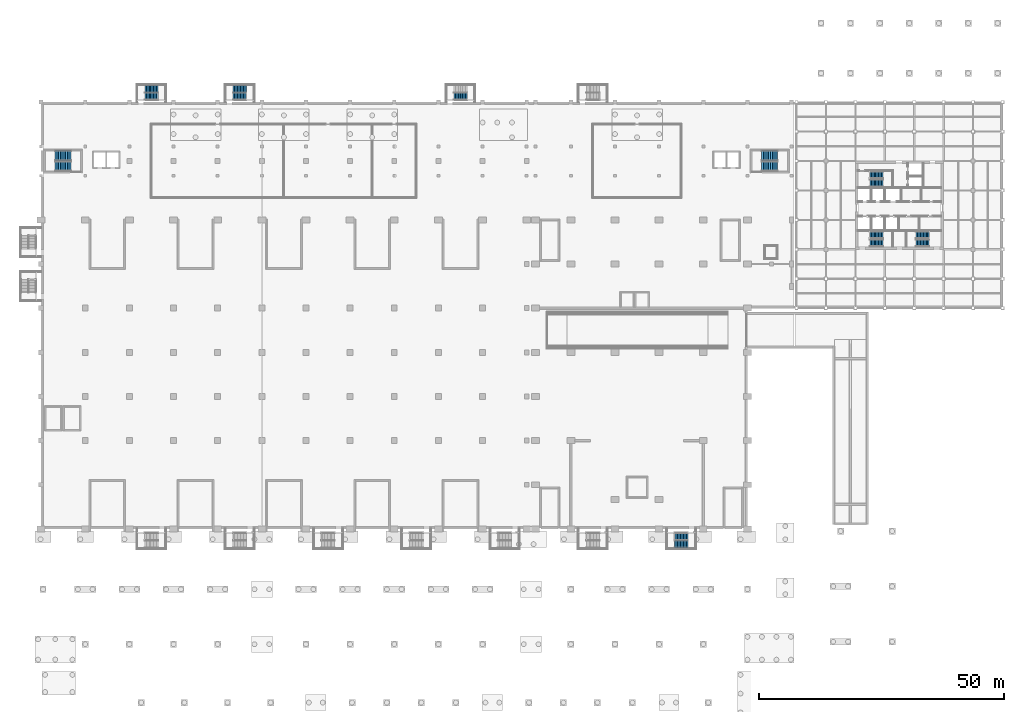
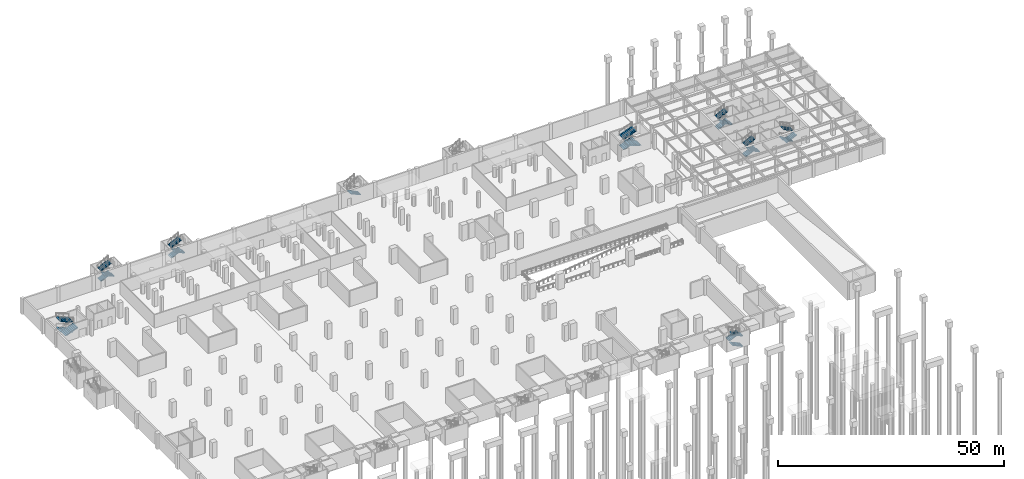
# One storey, part 21 of 27: 25 stair flights, 9 elements without a shape of their own.
"""IFC4 building model written with IfcOpenShell, lengths in metres."""

import ifcopenshell
import ifcopenshell.guid

model = None  # the IFC model being written
_history = None  # IfcOwnerHistory: only IFC2X3 demands one
_inside = {}  # id of a spatial element -> (the spatial element, [elements in it])
_under = {}  # id of a project, library or spatial element -> (it, [spatial elements below it])
_declared = {}  # id of a project -> (the project, [libraries it declares])
_typed = {}  # id of a type object -> (the type object, [elements of that type])
_made_of = {}  # id of a material, layer set ... -> (it, [elements and type objects made of it])


def new_model(schema):
    """Start an empty IFC model of exactly this schema.

    Asked for "IFC4X3", IfcOpenShell would pick the latest addendum, in which some entities
    have other attributes; the version numbers below select the first issue.
    IFC2X3 requires an IfcOwnerHistory on every rooted entity: one is made here for all.
    """
    global model, _history
    if schema == "IFC4X3":
        model = ifcopenshell.file(schema_version=(4, 3, 0, 0))
    else:
        model = ifcopenshell.file(schema=schema)
    _inside.clear()
    _under.clear()
    _declared.clear()
    _typed.clear()
    _made_of.clear()
    _history = None
    if model.schema == "IFC2X3":
        org = make("IfcOrganization", Name="unknown")
        user = make(
            "IfcPersonAndOrganization",
            ThePerson=make("IfcPerson", FamilyName="unknown"),
            TheOrganization=org,
        )
        app = make(
            "IfcApplication",
            ApplicationDeveloper=org,
            Version="unknown",
            ApplicationFullName="unknown",
            ApplicationIdentifier="unknown",
        )
        _history = make(
            "IfcOwnerHistory",
            OwningUser=user,
            OwningApplication=app,
            ChangeAction="ADDED",
            CreationDate=0,
        )
    return model


def make(cls, **values):
    """One entity of the class cls with the attributes given. An attribute that is None is left unset."""
    return model.create_entity(
        cls, **{name: value for name, value in values.items() if value is not None}
    )


def rooted(cls, **values):
    """An entity with a GlobalId (a new one), such as an element, a storey or a relation."""
    return make(cls, GlobalId=ifcopenshell.guid.new(), OwnerHistory=_history, **values)


def si_unit(unit_type, name, prefix=None):
    """IfcSIUnit, for example si_unit("LENGTHUNIT", "METRE", prefix="MILLI")."""
    return make("IfcSIUnit", UnitType=unit_type, Prefix=prefix, Name=name)


def assignment(units):
    """IfcUnitAssignment: the units of a project."""
    return None if units is None else make("IfcUnitAssignment", Units=units)


def point(xyz):
    """IfcCartesianPoint."""
    return None if xyz is None else make("IfcCartesianPoint", Coordinates=xyz)


def direction(xyz):
    """IfcDirection."""
    return None if xyz is None else make("IfcDirection", DirectionRatios=xyz)


def frame(location, z_axis=None, x_axis=None):
    """IfcAxis2Placement3D, a coordinate frame: its origin and axes. An axis left out is left unset."""
    return make(
        "IfcAxis2Placement3D",
        Location=point(location),
        Axis=direction(z_axis),
        RefDirection=direction(x_axis),
    )


def origin():
    """The frame at (0, 0, 0) with its axes left unset."""
    return frame((0.0, 0.0, 0.0))


def place(relative_to, where):
    """IfcLocalPlacement: puts the frame where relative to a parent placement (None: the world)."""
    return make(
        "IfcLocalPlacement", PlacementRelTo=relative_to, RelativePlacement=where
    )


def context(
    kind, dimensions, precision=None, world=None, true_north=None, identifier=None
):
    """IfcGeometricRepresentationContext, for example the 3D "Model" context."""
    return make(
        "IfcGeometricRepresentationContext",
        ContextIdentifier=identifier,
        ContextType=kind,
        CoordinateSpaceDimension=dimensions,
        Precision=precision,
        WorldCoordinateSystem=world,
        TrueNorth=true_north,
    )


def subcontext(parent, identifier, kind, view, scale=None):
    """IfcGeometricRepresentationSubContext, for example "Body" below "Model"."""
    return make(
        "IfcGeometricRepresentationSubContext",
        ContextIdentifier=identifier,
        ContextType=kind,
        ParentContext=parent,
        TargetScale=scale,
        TargetView=view,
    )


def project(units=None, contexts=None):
    """IfcProject with its units and contexts."""
    return rooted(
        "IfcProject",
        Name="project",
        RepresentationContexts=contexts,
        UnitsInContext=assignment(units),
    )


def spatial(cls, under=None, at=None, **own):
    """A site, building, storey or space (cls), placed at a placement, below another one or the project."""
    s = rooted(cls, ObjectPlacement=at, **own)
    if under is not None:
        _under.setdefault(under.id(), (under, []))[1].append(s)
    return s


def polyline(points):
    """IfcPolyline through the points."""
    return make("IfcPolyline", Points=[point(p) for p in points])


def outline(outer, holes=None, kind="AREA"):
    """IfcArbitraryClosedProfileDef: a profile drawn as a closed curve; with holes, ...WithVoids."""
    if holes is None:
        return make("IfcArbitraryClosedProfileDef", ProfileType=kind, OuterCurve=outer)
    return make(
        "IfcArbitraryProfileDefWithVoids",
        ProfileType=kind,
        OuterCurve=outer,
        InnerCurves=holes,
    )


def extrude(swept, where, along, depth):
    """IfcExtrudedAreaSolid: the profile swept, set in the frame where, extruded along a direction by depth."""
    return make(
        "IfcExtrudedAreaSolid",
        SweptArea=swept,
        Position=where,
        ExtrudedDirection=direction(along),
        Depth=depth,
    )


def shape(context_of_items, identifier, shape_type, items):
    """IfcShapeRepresentation: the items that make up one representation, for example the "Body"."""
    return make(
        "IfcShapeRepresentation",
        ContextOfItems=context_of_items,
        RepresentationIdentifier=identifier,
        RepresentationType=shape_type,
        Items=items,
    )


def material(Name=None, Category=None):
    """IfcMaterial."""
    return make("IfcMaterial", Name=Name, Category=Category)


def made_of(thing, what):
    """Note that an element or type object is made of a material, layer set ...; save() writes the relation."""
    if what is not None:
        _made_of.setdefault(what.id(), (what, []))[1].append(thing)
    return thing


def type_object(cls, material=None, **own):
    """A type object (cls), such as IfcWallType, which elements share."""
    return made_of(rooted(cls, **own), material)


def element(
    cls,
    number,
    at=None,
    inside=None,
    cuts=None,
    type_object=None,
    material=None,
    context=None,
    identifier="Body",
    shape_type=None,
    held_by="IfcProductDefinitionShape",
    body=None,
    shapes=None,
    **own,
):
    """One element of the class cls, such as IfcWall. Its Tag is "e" and its number.

    at: its placement. inside: the storey or other place that contains it. cuts: it is an
    opening in that element (IfcRelVoidsElement). A single representation is given by context,
    identifier, shape_type and body (its items); several are given by shapes. held_by: the class
    of the entity that holds the representations. save() writes the other relations.
    """
    e = rooted(cls, Tag="e%d" % number, ObjectPlacement=at, **own)
    if body is not None:
        shapes = [shape(context, identifier, shape_type, body)]
    if shapes is not None:
        e.Representation = make(held_by, Representations=shapes)
    if inside is not None:
        _inside.setdefault(inside.id(), (inside, []))[1].append(e)
    if cuts is not None:
        rooted(
            "IfcRelVoidsElement", RelatingBuildingElement=cuts, RelatedOpeningElement=e
        )
    if type_object is not None:
        _typed.setdefault(type_object.id(), (type_object, []))[1].append(e)
    return made_of(e, material)


def aggregate(whole, parts):
    """IfcRelAggregates: a whole, such as a stair, and the parts it consists of."""
    return rooted("IfcRelAggregates", RelatingObject=whole, RelatedObjects=parts)


def save(model, path):
    """Write the relations noted so far, then the file.

    IfcRelAggregates (storeys below a building ...), IfcRelContainedInSpatialStructure (elements
    in a storey), IfcRelDefinesByType, IfcRelAssociatesMaterial and IfcRelDeclares: one each for
    every whole, place, type object, material and project.
    """
    for whole, parts in _under.values():
        aggregate(whole, parts)
    for where, things in _inside.values():
        rooted(
            "IfcRelContainedInSpatialStructure",
            RelatedElements=things,
            RelatingStructure=where,
        )
    for kind, things in _typed.values():
        rooted("IfcRelDefinesByType", RelatedObjects=things, RelatingType=kind)
    for what, things in _made_of.values():
        rooted("IfcRelAssociatesMaterial", RelatedObjects=things, RelatingMaterial=what)
    for by, libraries in _declared.values():
        rooted("IfcRelDeclares", RelatingContext=by, RelatedDefinitions=libraries)
    model.write(path)


model = new_model("IFC4")

# Units and contexts
model_context = context("Model", 3, precision=1e-05, world=origin(), true_north=direction((0.0, 1.0)))
body_context = subcontext(model_context, "Body", "Model", "MODEL_VIEW")
ifc_project = project(units=[si_unit("LENGTHUNIT", "METRE"), si_unit("AREAUNIT", "SQUARE_METRE"), si_unit("VOLUMEUNIT", "CUBIC_METRE"), si_unit("PLANEANGLEUNIT", "RADIAN"), si_unit("MASSUNIT", "GRAM", prefix="KILO")], contexts=[model_context])

# Site, building, storey
site_placement = place(None, origin())
site = spatial("IfcSite", under=ifc_project, at=site_placement, CompositionType="ELEMENT")
building_placement = place(site_placement, origin())
building = spatial("IfcBuilding", under=site, at=building_placement, Name="Aravalli Gate Trade Fair Centre", CompositionType="ELEMENT")
storey_placement = place(building_placement, frame((0.0, 0.0, -4.199951171875)))
storey = spatial("IfcBuildingStorey", under=building, at=storey_placement, Name="B1", CompositionType="ELEMENT", Elevation=-4.199951171875)

# Stair, stair flights
ifc_material_1 = material(Name="Concrete M40", Category="concrete")
stair_type_1 = type_object("IfcStairType", Name="Basement exit stair 1500", PredefinedType="HALF_TURN_STAIR", material=ifc_material_1)
stair_1_placement = place(storey_placement, origin())
stair_1 = element("IfcStair", 1, at=stair_1_placement, inside=storey, type_object=stair_type_1, Name="Basement exit stair N1 B1 to L00", PredefinedType="HALF_TURN_STAIR")
stair_flight_type_1 = type_object("IfcStairFlightType", Name="Basement exit stair flight 1500", PredefinedType="STRAIGHT", material=ifc_material_1)
stair_flight_1_placement = place(storey_placement, frame((27.14990234375, 135.679931640625, 0.0), z_axis=(0.0, 0.0, 1.0), x_axis=(1.0, 0.0, 0.0)))
stair_flight_1 = element("IfcStairFlight", 2, at=stair_flight_1_placement, type_object=stair_flight_type_1, Name="BS1 flight 1", NumberOfRisers=10, NumberOfTreads=9, PredefinedType="STRAIGHT", RiserHeight=0.14, TreadLength=0.3, context=body_context, shape_type="SweptSolid", body=[
    extrude(outline(polyline([(0.0, 0.0), (0.0, 0.139892578125), (0.300048828125, 0.139892578125), (0.300048828125, 0.280029296875), (0.60009765625, 0.280029296875), (0.60009765625, 0.419921875), (0.89990234375, 0.419921875), (0.89990234375, 0.56005859375), (1.199951171875, 0.56005859375), (1.199951171875, 0.699951171875), (1.5, 0.699951171875), (1.5, 0.840087890625), (1.800048828125, 0.840087890625), (1.800048828125, 0.97998046875), (2.10009765625, 0.97998046875), (2.10009765625, 1.1201171875), (2.39990234375, 1.1201171875), (2.39990234375, 1.260009765625), (2.699951171875, 1.260009765625), (2.699951171875, 1.39990234375), (2.699951171875, 1.094482421875), (0.3544921875, 0.0), (0.0, 0.0)])), frame((0.0, 0.75, 0.0), z_axis=(0.0, -1.0, 0.0), x_axis=(1.0, 0.0, 0.0)), (0.0, 0.0, 1.0), 1.5),
])
stair_flight_2_placement = place(storey_placement, frame((29.85009765625, 134.179931640625, 1.39990234375), z_axis=(0.0, 0.0, 1.0), x_axis=(-1.0, 0.0, 0.0)))
stair_flight_2 = element("IfcStairFlight", 3, at=stair_flight_2_placement, type_object=stair_flight_type_1, Name="BS1 flight 2", NumberOfRisers=10, NumberOfTreads=9, PredefinedType="STRAIGHT", RiserHeight=0.14, TreadLength=0.3, context=body_context, shape_type="SweptSolid", body=[
    extrude(outline(polyline([(0.0, 0.0), (0.0, 0.139892578125), (0.300048828125, 0.139892578125), (0.300048828125, 0.280029296875), (0.60009765625, 0.280029296875), (0.60009765625, 0.419921875), (0.89990234375, 0.419921875), (0.89990234375, 0.56005859375), (1.199951171875, 0.56005859375), (1.199951171875, 0.699951171875), (1.5, 0.699951171875), (1.5, 0.840087890625), (1.800048828125, 0.840087890625), (1.800048828125, 0.97998046875), (2.10009765625, 0.97998046875), (2.10009765625, 1.1201171875), (2.39990234375, 1.1201171875), (2.39990234375, 1.260009765625), (2.699951171875, 1.260009765625), (2.699951171875, 1.39990234375), (2.699951171875, 1.094482421875), (0.3544921875, 0.0), (0.0, 0.0)])), frame((0.0, 0.75, 0.0), z_axis=(0.0, -1.0, 0.0), x_axis=(1.0, 0.0, 0.0)), (0.0, 0.0, 1.0), 1.5),
])
stair_flight_3_placement = place(storey_placement, frame((27.14990234375, 135.679931640625, 2.800048828125), z_axis=(0.0, 0.0, 1.0), x_axis=(1.0, 0.0, 0.0)))
stair_flight_3 = element("IfcStairFlight", 4, at=stair_flight_3_placement, type_object=stair_flight_type_1, Name="BS1 flight 3", NumberOfRisers=10, NumberOfTreads=9, PredefinedType="STRAIGHT", RiserHeight=0.14, TreadLength=0.3, context=body_context, shape_type="SweptSolid", body=[
    extrude(outline(polyline([(0.0, 0.0), (0.0, 0.139892578125), (0.300048828125, 0.139892578125), (0.300048828125, 0.280029296875), (0.60009765625, 0.280029296875), (0.60009765625, 0.419921875), (0.89990234375, 0.419921875), (0.89990234375, 0.56005859375), (1.199951171875, 0.56005859375), (1.199951171875, 0.699951171875), (1.5, 0.699951171875), (1.5, 0.840087890625), (1.800048828125, 0.840087890625), (1.800048828125, 0.97998046875), (2.10009765625, 0.97998046875), (2.10009765625, 1.1201171875), (2.39990234375, 1.1201171875), (2.39990234375, 1.260009765625), (2.699951171875, 1.260009765625), (2.699951171875, 1.39990234375), (2.699951171875, 1.094482421875), (0.3544921875, 0.0), (0.0, 0.0)])), frame((0.0, 0.75, 0.0), z_axis=(0.0, -1.0, 0.0), x_axis=(1.0, 0.0, 0.0)), (0.0, 0.0, 1.0), 1.5),
])
aggregate(stair_1, [stair_flight_1, stair_flight_2, stair_flight_3])

stair_2_placement = place(storey_placement, origin())
stair_2 = element("IfcStair", 5, at=stair_2_placement, inside=storey, type_object=stair_type_1, Name="Basement exit stair N2 B1 to L00", PredefinedType="HALF_TURN_STAIR")
stair_flight_4_placement = place(storey_placement, frame((45.14990234375, 135.679931640625, 0.0), z_axis=(0.0, 0.0, 1.0), x_axis=(1.0, 0.0, 0.0)))
stair_flight_4 = element("IfcStairFlight", 6, at=stair_flight_4_placement, type_object=stair_flight_type_1, Name="BS1 flight 1", NumberOfRisers=10, NumberOfTreads=9, PredefinedType="STRAIGHT", RiserHeight=0.14, TreadLength=0.3, context=body_context, shape_type="SweptSolid", body=[
    extrude(outline(polyline([(0.0, 0.0), (0.0, 0.139892578125), (0.300048828125, 0.139892578125), (0.300048828125, 0.280029296875), (0.60009765625, 0.280029296875), (0.60009765625, 0.419921875), (0.89990234375, 0.419921875), (0.89990234375, 0.56005859375), (1.199951171875, 0.56005859375), (1.199951171875, 0.699951171875), (1.5, 0.699951171875), (1.5, 0.840087890625), (1.800048828125, 0.840087890625), (1.800048828125, 0.97998046875), (2.10009765625, 0.97998046875), (2.10009765625, 1.1201171875), (2.39990234375, 1.1201171875), (2.39990234375, 1.260009765625), (2.699951171875, 1.260009765625), (2.699951171875, 1.39990234375), (2.699951171875, 1.094482421875), (0.3544921875, 0.0), (0.0, 0.0)])), frame((0.0, 0.75, 0.0), z_axis=(0.0, -1.0, 0.0), x_axis=(1.0, 0.0, 0.0)), (0.0, 0.0, 1.0), 1.5),
])
stair_flight_5_placement = place(storey_placement, frame((47.85009765625, 134.179931640625, 1.39990234375), z_axis=(0.0, 0.0, 1.0), x_axis=(-1.0, 0.0, 0.0)))
stair_flight_5 = element("IfcStairFlight", 7, at=stair_flight_5_placement, type_object=stair_flight_type_1, Name="BS1 flight 2", NumberOfRisers=10, NumberOfTreads=9, PredefinedType="STRAIGHT", RiserHeight=0.14, TreadLength=0.3, context=body_context, shape_type="SweptSolid", body=[
    extrude(outline(polyline([(0.0, 0.0), (0.0, 0.139892578125), (0.300048828125, 0.139892578125), (0.300048828125, 0.280029296875), (0.60009765625, 0.280029296875), (0.60009765625, 0.419921875), (0.89990234375, 0.419921875), (0.89990234375, 0.56005859375), (1.199951171875, 0.56005859375), (1.199951171875, 0.699951171875), (1.5, 0.699951171875), (1.5, 0.840087890625), (1.800048828125, 0.840087890625), (1.800048828125, 0.97998046875), (2.10009765625, 0.97998046875), (2.10009765625, 1.1201171875), (2.39990234375, 1.1201171875), (2.39990234375, 1.260009765625), (2.699951171875, 1.260009765625), (2.699951171875, 1.39990234375), (2.699951171875, 1.094482421875), (0.3544921875, 0.0), (0.0, 0.0)])), frame((0.0, 0.75, 0.0), z_axis=(0.0, -1.0, 0.0), x_axis=(1.0, 0.0, 0.0)), (0.0, 0.0, 1.0), 1.5),
])
stair_flight_6_placement = place(storey_placement, frame((45.14990234375, 135.679931640625, 2.800048828125), z_axis=(0.0, 0.0, 1.0), x_axis=(1.0, 0.0, 0.0)))
stair_flight_6 = element("IfcStairFlight", 8, at=stair_flight_6_placement, type_object=stair_flight_type_1, Name="BS1 flight 3", NumberOfRisers=10, NumberOfTreads=9, PredefinedType="STRAIGHT", RiserHeight=0.14, TreadLength=0.3, context=body_context, shape_type="SweptSolid", body=[
    extrude(outline(polyline([(0.0, 0.0), (0.0, 0.139892578125), (0.300048828125, 0.139892578125), (0.300048828125, 0.280029296875), (0.60009765625, 0.280029296875), (0.60009765625, 0.419921875), (0.89990234375, 0.419921875), (0.89990234375, 0.56005859375), (1.199951171875, 0.56005859375), (1.199951171875, 0.699951171875), (1.5, 0.699951171875), (1.5, 0.840087890625), (1.800048828125, 0.840087890625), (1.800048828125, 0.97998046875), (2.10009765625, 0.97998046875), (2.10009765625, 1.1201171875), (2.39990234375, 1.1201171875), (2.39990234375, 1.260009765625), (2.699951171875, 1.260009765625), (2.699951171875, 1.39990234375), (2.699951171875, 1.094482421875), (0.3544921875, 0.0), (0.0, 0.0)])), frame((0.0, 0.75, 0.0), z_axis=(0.0, -1.0, 0.0), x_axis=(1.0, 0.0, 0.0)), (0.0, 0.0, 1.0), 1.5),
])
aggregate(stair_2, [stair_flight_4, stair_flight_5, stair_flight_6])

# Stair, stair flight
stair_3_placement = place(storey_placement, origin())
stair_3 = element("IfcStair", 9, at=stair_3_placement, inside=storey, type_object=stair_type_1, Name="Basement exit stair N3 B1 to L00", PredefinedType="HALF_TURN_STAIR")
stair_flight_7_placement = place(storey_placement, frame((92.85009765625, 134.179931640625, 1.39990234375), z_axis=(0.0, 0.0, 1.0), x_axis=(-1.0, 0.0, 0.0)))
stair_flight_7 = element("IfcStairFlight", 10, at=stair_flight_7_placement, type_object=stair_flight_type_1, Name="BS1 flight 2", NumberOfRisers=10, NumberOfTreads=9, PredefinedType="STRAIGHT", RiserHeight=0.14, TreadLength=0.3, context=body_context, shape_type="SweptSolid", body=[
    extrude(outline(polyline([(0.0, 0.0), (0.0, 0.139892578125), (0.300048828125, 0.139892578125), (0.300048828125, 0.280029296875), (0.60009765625, 0.280029296875), (0.60009765625, 0.419921875), (0.89990234375, 0.419921875), (0.89990234375, 0.56005859375), (1.199951171875, 0.56005859375), (1.199951171875, 0.699951171875), (1.5, 0.699951171875), (1.5, 0.840087890625), (1.800048828125, 0.840087890625), (1.800048828125, 0.97998046875), (2.10009765625, 0.97998046875), (2.10009765625, 1.1201171875), (2.39990234375, 1.1201171875), (2.39990234375, 1.260009765625), (2.699951171875, 1.260009765625), (2.699951171875, 1.39990234375), (2.699951171875, 1.094482421875), (0.3544921875, 0.0), (0.0, 0.0)])), frame((0.0, 0.75, 0.0), z_axis=(0.0, -1.0, 0.0), x_axis=(1.0, 0.0, 0.0)), (0.0, 0.0, 1.0), 1.5),
])
aggregate(stair_3, [stair_flight_7])

# Stair, stair flights
stair_4_placement = place(storey_placement, origin())
stair_4 = element("IfcStair", 11, at=stair_4_placement, inside=storey, type_object=stair_type_1, Name="Basement exit stair S7 B1 to L00", PredefinedType="HALF_TURN_STAIR")
stair_flight_8_placement = place(storey_placement, frame((137.85009765625, 42.89990234375, 0.0), z_axis=(0.0, 0.0, 1.0), x_axis=(-1.0, 0.0, 0.0)))
stair_flight_8 = element("IfcStairFlight", 12, at=stair_flight_8_placement, type_object=stair_flight_type_1, Name="BS1 flight 1", NumberOfRisers=10, NumberOfTreads=9, PredefinedType="STRAIGHT", RiserHeight=0.14, TreadLength=0.3, context=body_context, shape_type="SweptSolid", body=[
    extrude(outline(polyline([(0.0, 0.0), (0.0, 0.139892578125), (0.300048828125, 0.139892578125), (0.300048828125, 0.280029296875), (0.60009765625, 0.280029296875), (0.60009765625, 0.419921875), (0.89990234375, 0.419921875), (0.89990234375, 0.56005859375), (1.199951171875, 0.56005859375), (1.199951171875, 0.699951171875), (1.5, 0.699951171875), (1.5, 0.840087890625), (1.800048828125, 0.840087890625), (1.800048828125, 0.97998046875), (2.10009765625, 0.97998046875), (2.10009765625, 1.1201171875), (2.39990234375, 1.1201171875), (2.39990234375, 1.260009765625), (2.699951171875, 1.260009765625), (2.699951171875, 1.39990234375), (2.699951171875, 1.094482421875), (0.3544921875, 0.0), (0.0, 0.0)])), frame((0.0, 0.75, 0.0), z_axis=(0.0, -1.0, 0.0), x_axis=(1.0, 0.0, 0.0)), (0.0, 0.0, 1.0), 1.5),
])
stair_flight_9_placement = place(storey_placement, frame((135.14990234375, 44.39990234375, 1.39990234375), z_axis=(0.0, 0.0, 1.0), x_axis=(1.0, 0.0, 0.0)))
stair_flight_9 = element("IfcStairFlight", 13, at=stair_flight_9_placement, type_object=stair_flight_type_1, Name="BS1 flight 2", NumberOfRisers=10, NumberOfTreads=9, PredefinedType="STRAIGHT", RiserHeight=0.14, TreadLength=0.3, context=body_context, shape_type="SweptSolid", body=[
    extrude(outline(polyline([(0.0, 0.0), (0.0, 0.139892578125), (0.300048828125, 0.139892578125), (0.300048828125, 0.280029296875), (0.60009765625, 0.280029296875), (0.60009765625, 0.419921875), (0.89990234375, 0.419921875), (0.89990234375, 0.56005859375), (1.199951171875, 0.56005859375), (1.199951171875, 0.699951171875), (1.5, 0.699951171875), (1.5, 0.840087890625), (1.800048828125, 0.840087890625), (1.800048828125, 0.97998046875), (2.10009765625, 0.97998046875), (2.10009765625, 1.1201171875), (2.39990234375, 1.1201171875), (2.39990234375, 1.260009765625), (2.699951171875, 1.260009765625), (2.699951171875, 1.39990234375), (2.699951171875, 1.094482421875), (0.3544921875, 0.0), (0.0, 0.0)])), frame((0.0, 0.75, 0.0), z_axis=(0.0, -1.0, 0.0), x_axis=(1.0, 0.0, 0.0)), (0.0, 0.0, 1.0), 1.5),
])
stair_flight_10_placement = place(storey_placement, frame((137.85009765625, 42.89990234375, 2.800048828125), z_axis=(0.0, 0.0, 1.0), x_axis=(-1.0, 0.0, 0.0)))
stair_flight_10 = element("IfcStairFlight", 14, at=stair_flight_10_placement, type_object=stair_flight_type_1, Name="BS1 flight 3", NumberOfRisers=10, NumberOfTreads=9, PredefinedType="STRAIGHT", RiserHeight=0.14, TreadLength=0.3, context=body_context, shape_type="SweptSolid", body=[
    extrude(outline(polyline([(0.0, 0.0), (0.0, 0.139892578125), (0.300048828125, 0.139892578125), (0.300048828125, 0.280029296875), (0.60009765625, 0.280029296875), (0.60009765625, 0.419921875), (0.89990234375, 0.419921875), (0.89990234375, 0.56005859375), (1.199951171875, 0.56005859375), (1.199951171875, 0.699951171875), (1.5, 0.699951171875), (1.5, 0.840087890625), (1.800048828125, 0.840087890625), (1.800048828125, 0.97998046875), (2.10009765625, 0.97998046875), (2.10009765625, 1.1201171875), (2.39990234375, 1.1201171875), (2.39990234375, 1.260009765625), (2.699951171875, 1.260009765625), (2.699951171875, 1.39990234375), (2.699951171875, 1.094482421875), (0.3544921875, 0.0), (0.0, 0.0)])), frame((0.0, 0.75, 0.0), z_axis=(0.0, -1.0, 0.0), x_axis=(1.0, 0.0, 0.0)), (0.0, 0.0, 1.0), 1.5),
])
aggregate(stair_4, [stair_flight_8, stair_flight_9, stair_flight_10])

ifc_material_2 = material(Name="Concrete M30", Category="concrete")
stair_type_2 = type_object("IfcStairType", Name="Concourse stair, 2000 wide", PredefinedType="HALF_TURN_STAIR", material=ifc_material_2)
stair_5_placement = place(storey_placement, origin())
stair_5 = element("IfcStair", 15, at=stair_5_placement, inside=storey, type_object=stair_type_2, Name="Stair WS B1", PredefinedType="HALF_TURN_STAIR")
stair_flight_type_2 = type_object("IfcStairFlightType", Name="Concourse stair flight 2000", PredefinedType="STRAIGHT", material=ifc_material_2)
stair_flight_11_placement = place(storey_placement, frame((12.10009765625, 122.10009765625, 0.0), z_axis=(0.0, 0.0, 1.0), x_axis=(-1.0, 0.0, 0.0)))
stair_flight_11 = element("IfcStairFlight", 16, at=stair_flight_11_placement, type_object=stair_flight_type_2, Name="STWS-B1 flight 1", NumberOfRisers=10, NumberOfTreads=9, PredefinedType="STRAIGHT", RiserHeight=0.14, TreadLength=0.36, context=body_context, shape_type="SweptSolid", body=[
    extrude(outline(polyline([(0.0, 0.0), (0.0, 0.139892578125), (0.360107421875, 0.139892578125), (0.360107421875, 0.280029296875), (0.719970703125, 0.280029296875), (0.719970703125, 0.419921875), (1.080078125, 0.419921875), (1.080078125, 0.56005859375), (1.43994140625, 0.56005859375), (1.43994140625, 0.699951171875), (1.800048828125, 0.699951171875), (1.800048828125, 0.840087890625), (2.159912109375, 0.840087890625), (2.159912109375, 0.97998046875), (2.52001953125, 0.97998046875), (2.52001953125, 1.1201171875), (2.8798828125, 1.1201171875), (2.8798828125, 1.260009765625), (3.239990234375, 1.260009765625), (3.239990234375, 1.39990234375), (3.239990234375, 1.04541015625), (0.5517578125, 0.0), (0.0, 0.0)])), frame((0.0, 1.0, 0.0), z_axis=(0.0, -1.0, 0.0), x_axis=(1.0, 0.0, 0.0)), (0.0, 0.0, 1.0), 2.0),
])
stair_flight_12_placement = place(storey_placement, frame((8.860107421875, 119.89990234375, 1.39990234375), z_axis=(0.0, 0.0, 1.0), x_axis=(1.0, 0.0, 0.0)))
stair_flight_12 = element("IfcStairFlight", 17, at=stair_flight_12_placement, type_object=stair_flight_type_2, Name="STWS-B1 flight 2", NumberOfRisers=10, NumberOfTreads=9, PredefinedType="STRAIGHT", RiserHeight=0.14, TreadLength=0.36, context=body_context, shape_type="SweptSolid", body=[
    extrude(outline(polyline([(0.0, 0.0), (0.0, 0.139892578125), (0.360107421875, 0.139892578125), (0.360107421875, 0.280029296875), (0.719970703125, 0.280029296875), (0.719970703125, 0.419921875), (1.080078125, 0.419921875), (1.080078125, 0.56005859375), (1.43994140625, 0.56005859375), (1.43994140625, 0.699951171875), (1.800048828125, 0.699951171875), (1.800048828125, 0.840087890625), (2.159912109375, 0.840087890625), (2.159912109375, 0.97998046875), (2.52001953125, 0.97998046875), (2.52001953125, 1.1201171875), (2.8798828125, 1.1201171875), (2.8798828125, 1.260009765625), (3.239990234375, 1.260009765625), (3.239990234375, 1.39990234375), (3.239990234375, 1.04541015625), (0.5517578125, 0.0), (0.0, 0.0)])), frame((0.0, 1.0, 0.0), z_axis=(0.0, -1.0, 0.0), x_axis=(1.0, 0.0, 0.0)), (0.0, 0.0, 1.0), 2.0),
])
stair_flight_13_placement = place(storey_placement, frame((12.10009765625, 122.10009765625, 2.800048828125), z_axis=(0.0, 0.0, 1.0), x_axis=(-1.0, 0.0, 0.0)))
stair_flight_13 = element("IfcStairFlight", 18, at=stair_flight_13_placement, type_object=stair_flight_type_2, Name="STWS-B1 flight 3", NumberOfRisers=10, NumberOfTreads=9, PredefinedType="STRAIGHT", RiserHeight=0.14, TreadLength=0.36, context=body_context, shape_type="SweptSolid", body=[
    extrude(outline(polyline([(0.0, 0.0), (0.0, 0.139892578125), (0.360107421875, 0.139892578125), (0.360107421875, 0.280029296875), (0.719970703125, 0.280029296875), (0.719970703125, 0.419921875), (1.080078125, 0.419921875), (1.080078125, 0.56005859375), (1.43994140625, 0.56005859375), (1.43994140625, 0.699951171875), (1.800048828125, 0.699951171875), (1.800048828125, 0.840087890625), (2.159912109375, 0.840087890625), (2.159912109375, 0.97998046875), (2.52001953125, 0.97998046875), (2.52001953125, 1.1201171875), (2.8798828125, 1.1201171875), (2.8798828125, 1.260009765625), (3.239990234375, 1.260009765625), (3.239990234375, 1.39990234375), (3.239990234375, 1.04541015625), (0.5517578125, 0.0), (0.0, 0.0)])), frame((0.0, 1.0, 0.0), z_axis=(0.0, -1.0, 0.0), x_axis=(1.0, 0.0, 0.0)), (0.0, 0.0, 1.0), 2.0),
])
aggregate(stair_5, [stair_flight_11, stair_flight_12, stair_flight_13])

stair_6_placement = place(storey_placement, origin())
stair_6 = element("IfcStair", 19, at=stair_6_placement, inside=storey, type_object=stair_type_2, Name="Stair ES B1", PredefinedType="HALF_TURN_STAIR")
stair_flight_14_placement = place(storey_placement, frame((152.89990234375, 122.10009765625, 0.0), z_axis=(0.0, 0.0, 1.0), x_axis=(1.0, 0.0, 0.0)))
stair_flight_14 = element("IfcStairFlight", 20, at=stair_flight_14_placement, type_object=stair_flight_type_2, Name="STES-B1 flight 1", NumberOfRisers=10, NumberOfTreads=9, PredefinedType="STRAIGHT", RiserHeight=0.14, TreadLength=0.36, context=body_context, shape_type="SweptSolid", body=[
    extrude(outline(polyline([(0.0, 0.0), (0.0, 0.139892578125), (0.360107421875, 0.139892578125), (0.360107421875, 0.280029296875), (0.719970703125, 0.280029296875), (0.719970703125, 0.419921875), (1.080078125, 0.419921875), (1.080078125, 0.56005859375), (1.43994140625, 0.56005859375), (1.43994140625, 0.699951171875), (1.800048828125, 0.699951171875), (1.800048828125, 0.840087890625), (2.159912109375, 0.840087890625), (2.159912109375, 0.97998046875), (2.52001953125, 0.97998046875), (2.52001953125, 1.1201171875), (2.8798828125, 1.1201171875), (2.8798828125, 1.260009765625), (3.239990234375, 1.260009765625), (3.239990234375, 1.39990234375), (3.239990234375, 1.04541015625), (0.5517578125, 0.0), (0.0, 0.0)])), frame((0.0, 1.0, 0.0), z_axis=(0.0, -1.0, 0.0), x_axis=(1.0, 0.0, 0.0)), (0.0, 0.0, 1.0), 2.0),
])
stair_flight_15_placement = place(storey_placement, frame((156.139892578125, 119.89990234375, 1.39990234375), z_axis=(0.0, 0.0, 1.0), x_axis=(-1.0, 0.0, 0.0)))
stair_flight_15 = element("IfcStairFlight", 21, at=stair_flight_15_placement, type_object=stair_flight_type_2, Name="STES-B1 flight 2", NumberOfRisers=10, NumberOfTreads=9, PredefinedType="STRAIGHT", RiserHeight=0.14, TreadLength=0.36, context=body_context, shape_type="SweptSolid", body=[
    extrude(outline(polyline([(0.0, 0.0), (0.0, 0.139892578125), (0.360107421875, 0.139892578125), (0.360107421875, 0.280029296875), (0.719970703125, 0.280029296875), (0.719970703125, 0.419921875), (1.080078125, 0.419921875), (1.080078125, 0.56005859375), (1.43994140625, 0.56005859375), (1.43994140625, 0.699951171875), (1.800048828125, 0.699951171875), (1.800048828125, 0.840087890625), (2.159912109375, 0.840087890625), (2.159912109375, 0.97998046875), (2.52001953125, 0.97998046875), (2.52001953125, 1.1201171875), (2.8798828125, 1.1201171875), (2.8798828125, 1.260009765625), (3.239990234375, 1.260009765625), (3.239990234375, 1.39990234375), (3.239990234375, 1.04541015625), (0.5517578125, 0.0), (0.0, 0.0)])), frame((0.0, 1.0, 0.0), z_axis=(0.0, -1.0, 0.0), x_axis=(1.0, 0.0, 0.0)), (0.0, 0.0, 1.0), 2.0),
])
stair_flight_16_placement = place(storey_placement, frame((152.89990234375, 122.10009765625, 2.800048828125), z_axis=(0.0, 0.0, 1.0), x_axis=(1.0, 0.0, 0.0)))
stair_flight_16 = element("IfcStairFlight", 22, at=stair_flight_16_placement, type_object=stair_flight_type_2, Name="STES-B1 flight 3", NumberOfRisers=10, NumberOfTreads=9, PredefinedType="STRAIGHT", RiserHeight=0.14, TreadLength=0.36, context=body_context, shape_type="SweptSolid", body=[
    extrude(outline(polyline([(0.0, 0.0), (0.0, 0.139892578125), (0.360107421875, 0.139892578125), (0.360107421875, 0.280029296875), (0.719970703125, 0.280029296875), (0.719970703125, 0.419921875), (1.080078125, 0.419921875), (1.080078125, 0.56005859375), (1.43994140625, 0.56005859375), (1.43994140625, 0.699951171875), (1.800048828125, 0.699951171875), (1.800048828125, 0.840087890625), (2.159912109375, 0.840087890625), (2.159912109375, 0.97998046875), (2.52001953125, 0.97998046875), (2.52001953125, 1.1201171875), (2.8798828125, 1.1201171875), (2.8798828125, 1.260009765625), (3.239990234375, 1.260009765625), (3.239990234375, 1.39990234375), (3.239990234375, 1.04541015625), (0.5517578125, 0.0), (0.0, 0.0)])), frame((0.0, 1.0, 0.0), z_axis=(0.0, -1.0, 0.0), x_axis=(1.0, 0.0, 0.0)), (0.0, 0.0, 1.0), 2.0),
])
aggregate(stair_6, [stair_flight_14, stair_flight_15, stair_flight_16])

stair_type_3 = type_object("IfcStairType", Name="Wing core stair", PredefinedType="HALF_TURN_STAIR", material=ifc_material_2)
stair_7_placement = place(storey_placement, origin())
stair_7 = element("IfcStair", 23, at=stair_7_placement, inside=storey, type_object=stair_type_3, Name="Stair S2 B1", PredefinedType="HALF_TURN_STAIR")
stair_flight_type_3 = type_object("IfcStairFlightType", Name="Wing core stair flight", PredefinedType="STRAIGHT", material=ifc_material_2)
stair_flight_17_placement = place(storey_placement, frame((174.949951171875, 105.929931640625, 0.0), z_axis=(0.0, 0.0, 1.0), x_axis=(1.0, 0.0, 0.0)))
stair_flight_17 = element("IfcStairFlight", 24, at=stair_flight_17_placement, type_object=stair_flight_type_3, Name="TST1 flight 1", NumberOfRisers=10, NumberOfTreads=9, PredefinedType="STRAIGHT", RiserHeight=0.144827586, TreadLength=0.3, context=body_context, shape_type="SweptSolid", body=[
    extrude(outline(polyline([(0.0, 0.0), (0.0, 0.144775390625), (0.300048828125, 0.144775390625), (0.300048828125, 0.28955078125), (0.60009765625, 0.28955078125), (0.60009765625, 0.4345703125), (0.89990234375, 0.4345703125), (0.89990234375, 0.579345703125), (1.199951171875, 0.579345703125), (1.199951171875, 0.72412109375), (1.5, 0.72412109375), (1.5, 0.868896484375), (1.800048828125, 0.868896484375), (1.800048828125, 1.013671875), (2.10009765625, 1.013671875), (2.10009765625, 1.15869140625), (2.39990234375, 1.15869140625), (2.39990234375, 1.303466796875), (2.699951171875, 1.303466796875), (2.699951171875, 1.4482421875), (2.699951171875, 1.1591796875), (0.298828125, 0.0), (0.0, 0.0)])), frame((0.0, 0.77001953125, 0.0), z_axis=(0.0, -1.0, 0.0), x_axis=(1.0, 0.0, 0.0)), (0.0, 0.0, 1.0), 1.5400390625),
])
stair_flight_18_placement = place(storey_placement, frame((177.64990234375, 104.27001953125, 1.4482421875), z_axis=(0.0, 0.0, 1.0), x_axis=(-1.0, 0.0, 0.0)))
stair_flight_18 = element("IfcStairFlight", 25, at=stair_flight_18_placement, type_object=stair_flight_type_3, Name="TST1 flight 2", NumberOfRisers=10, NumberOfTreads=9, PredefinedType="STRAIGHT", RiserHeight=0.144827586, TreadLength=0.3, context=body_context, shape_type="SweptSolid", body=[
    extrude(outline(polyline([(0.0, 0.0), (0.0, 0.144775390625), (0.300048828125, 0.144775390625), (0.300048828125, 0.28955078125), (0.60009765625, 0.28955078125), (0.60009765625, 0.4345703125), (0.89990234375, 0.4345703125), (0.89990234375, 0.579345703125), (1.199951171875, 0.579345703125), (1.199951171875, 0.72412109375), (1.5, 0.72412109375), (1.5, 0.868896484375), (1.800048828125, 0.868896484375), (1.800048828125, 1.013671875), (2.10009765625, 1.013671875), (2.10009765625, 1.15869140625), (2.39990234375, 1.15869140625), (2.39990234375, 1.303466796875), (2.699951171875, 1.303466796875), (2.699951171875, 1.4482421875), (2.699951171875, 1.1591796875), (0.298828125, 0.0), (0.0, 0.0)])), frame((0.0, 0.77001953125, 0.0), z_axis=(0.0, -1.0, 0.0), x_axis=(1.0, 0.0, 0.0)), (0.0, 0.0, 1.0), 1.5400390625),
])
stair_flight_19_placement = place(storey_placement, frame((174.949951171875, 105.929931640625, 2.896484375), z_axis=(0.0, 0.0, 1.0), x_axis=(1.0, 0.0, 0.0)))
stair_flight_19 = element("IfcStairFlight", 26, at=stair_flight_19_placement, type_object=stair_flight_type_3, Name="TST1 flight 3", NumberOfRisers=9, NumberOfTreads=8, PredefinedType="STRAIGHT", RiserHeight=0.144827586, TreadLength=0.3, context=body_context, shape_type="SweptSolid", body=[
    extrude(outline(polyline([(0.0, 0.0), (0.0, 0.144775390625), (0.300048828125, 0.144775390625), (0.300048828125, 0.28955078125), (0.60009765625, 0.28955078125), (0.60009765625, 0.4345703125), (0.89990234375, 0.4345703125), (0.89990234375, 0.579345703125), (1.199951171875, 0.579345703125), (1.199951171875, 0.72412109375), (1.5, 0.72412109375), (1.5, 0.868896484375), (1.800048828125, 0.868896484375), (1.800048828125, 1.013671875), (2.10009765625, 1.013671875), (2.10009765625, 1.15869140625), (2.39990234375, 1.15869140625), (2.39990234375, 1.303466796875), (2.39990234375, 1.014404296875), (0.298828125, 0.0), (0.0, 0.0)])), frame((0.0, 0.77001953125, 0.0), z_axis=(0.0, -1.0, 0.0), x_axis=(1.0, 0.0, 0.0)), (0.0, 0.0, 1.0), 1.5400390625),
])
aggregate(stair_7, [stair_flight_17, stair_flight_18, stair_flight_19])

stair_8_placement = place(storey_placement, origin())
stair_8 = element("IfcStair", 27, at=stair_8_placement, inside=storey, type_object=stair_type_3, Name="Stair S1 B1", PredefinedType="HALF_TURN_STAIR")
stair_flight_20_placement = place(storey_placement, frame((187.050048828125, 105.929931640625, 0.0), z_axis=(0.0, 0.0, 1.0), x_axis=(-1.0, 0.0, 0.0)))
stair_flight_20 = element("IfcStairFlight", 28, at=stair_flight_20_placement, type_object=stair_flight_type_3, Name="TST1 flight 1", NumberOfRisers=10, NumberOfTreads=9, PredefinedType="STRAIGHT", RiserHeight=0.144827586, TreadLength=0.3, context=body_context, shape_type="SweptSolid", body=[
    extrude(outline(polyline([(0.0, 0.0), (0.0, 0.144775390625), (0.300048828125, 0.144775390625), (0.300048828125, 0.28955078125), (0.60009765625, 0.28955078125), (0.60009765625, 0.4345703125), (0.89990234375, 0.4345703125), (0.89990234375, 0.579345703125), (1.199951171875, 0.579345703125), (1.199951171875, 0.72412109375), (1.5, 0.72412109375), (1.5, 0.868896484375), (1.800048828125, 0.868896484375), (1.800048828125, 1.013671875), (2.10009765625, 1.013671875), (2.10009765625, 1.15869140625), (2.39990234375, 1.15869140625), (2.39990234375, 1.303466796875), (2.699951171875, 1.303466796875), (2.699951171875, 1.4482421875), (2.699951171875, 1.1591796875), (0.298828125, 0.0), (0.0, 0.0)])), frame((0.0, 0.77001953125, 0.0), z_axis=(0.0, -1.0, 0.0), x_axis=(1.0, 0.0, 0.0)), (0.0, 0.0, 1.0), 1.5400390625),
])
stair_flight_21_placement = place(storey_placement, frame((184.35009765625, 104.27001953125, 1.4482421875), z_axis=(0.0, 0.0, 1.0), x_axis=(1.0, 0.0, 0.0)))
stair_flight_21 = element("IfcStairFlight", 29, at=stair_flight_21_placement, type_object=stair_flight_type_3, Name="TST1 flight 2", NumberOfRisers=10, NumberOfTreads=9, PredefinedType="STRAIGHT", RiserHeight=0.144827586, TreadLength=0.3, context=body_context, shape_type="SweptSolid", body=[
    extrude(outline(polyline([(0.0, 0.0), (0.0, 0.144775390625), (0.300048828125, 0.144775390625), (0.300048828125, 0.28955078125), (0.60009765625, 0.28955078125), (0.60009765625, 0.4345703125), (0.89990234375, 0.4345703125), (0.89990234375, 0.579345703125), (1.199951171875, 0.579345703125), (1.199951171875, 0.72412109375), (1.5, 0.72412109375), (1.5, 0.868896484375), (1.800048828125, 0.868896484375), (1.800048828125, 1.013671875), (2.10009765625, 1.013671875), (2.10009765625, 1.15869140625), (2.39990234375, 1.15869140625), (2.39990234375, 1.303466796875), (2.699951171875, 1.303466796875), (2.699951171875, 1.4482421875), (2.699951171875, 1.1591796875), (0.298828125, 0.0), (0.0, 0.0)])), frame((0.0, 0.77001953125, 0.0), z_axis=(0.0, -1.0, 0.0), x_axis=(1.0, 0.0, 0.0)), (0.0, 0.0, 1.0), 1.5400390625),
])
stair_flight_22_placement = place(storey_placement, frame((187.050048828125, 105.929931640625, 2.896484375), z_axis=(0.0, 0.0, 1.0), x_axis=(-1.0, 0.0, 0.0)))
stair_flight_22 = element("IfcStairFlight", 30, at=stair_flight_22_placement, type_object=stair_flight_type_3, Name="TST1 flight 3", NumberOfRisers=9, NumberOfTreads=8, PredefinedType="STRAIGHT", RiserHeight=0.144827586, TreadLength=0.3, context=body_context, shape_type="SweptSolid", body=[
    extrude(outline(polyline([(0.0, 0.0), (0.0, 0.144775390625), (0.300048828125, 0.144775390625), (0.300048828125, 0.28955078125), (0.60009765625, 0.28955078125), (0.60009765625, 0.4345703125), (0.89990234375, 0.4345703125), (0.89990234375, 0.579345703125), (1.199951171875, 0.579345703125), (1.199951171875, 0.72412109375), (1.5, 0.72412109375), (1.5, 0.868896484375), (1.800048828125, 0.868896484375), (1.800048828125, 1.013671875), (2.10009765625, 1.013671875), (2.10009765625, 1.15869140625), (2.39990234375, 1.15869140625), (2.39990234375, 1.303466796875), (2.39990234375, 1.014404296875), (0.298828125, 0.0), (0.0, 0.0)])), frame((0.0, 0.77001953125, 0.0), z_axis=(0.0, -1.0, 0.0), x_axis=(1.0, 0.0, 0.0)), (0.0, 0.0, 1.0), 1.5400390625),
])
aggregate(stair_8, [stair_flight_20, stair_flight_21, stair_flight_22])

stair_9_placement = place(storey_placement, origin())
stair_9 = element("IfcStair", 31, at=stair_9_placement, inside=storey, type_object=stair_type_3, Name="Stair FFS B1", PredefinedType="HALF_TURN_STAIR")
stair_flight_23_placement = place(storey_placement, frame((174.949951171875, 118.1298828125, 0.0), z_axis=(0.0, 0.0, 1.0), x_axis=(1.0, 0.0, 0.0)))
stair_flight_23 = element("IfcStairFlight", 32, at=stair_flight_23_placement, type_object=stair_flight_type_3, Name="TST1 flight 1", NumberOfRisers=10, NumberOfTreads=9, PredefinedType="STRAIGHT", RiserHeight=0.144827586, TreadLength=0.3, context=body_context, shape_type="SweptSolid", body=[
    extrude(outline(polyline([(0.0, 0.0), (0.0, 0.144775390625), (0.300048828125, 0.144775390625), (0.300048828125, 0.28955078125), (0.60009765625, 0.28955078125), (0.60009765625, 0.4345703125), (0.89990234375, 0.4345703125), (0.89990234375, 0.579345703125), (1.199951171875, 0.579345703125), (1.199951171875, 0.72412109375), (1.5, 0.72412109375), (1.5, 0.868896484375), (1.800048828125, 0.868896484375), (1.800048828125, 1.013671875), (2.10009765625, 1.013671875), (2.10009765625, 1.15869140625), (2.39990234375, 1.15869140625), (2.39990234375, 1.303466796875), (2.699951171875, 1.303466796875), (2.699951171875, 1.4482421875), (2.699951171875, 1.1591796875), (0.298828125, 0.0), (0.0, 0.0)])), frame((0.0, 0.77001953125, 0.0), z_axis=(0.0, -1.0, 0.0), x_axis=(1.0, 0.0, 0.0)), (0.0, 0.0, 1.0), 1.5400390625),
])
stair_flight_24_placement = place(storey_placement, frame((177.64990234375, 116.469970703125, 1.4482421875), z_axis=(0.0, 0.0, 1.0), x_axis=(-1.0, 0.0, 0.0)))
stair_flight_24 = element("IfcStairFlight", 33, at=stair_flight_24_placement, type_object=stair_flight_type_3, Name="TST1 flight 2", NumberOfRisers=10, NumberOfTreads=9, PredefinedType="STRAIGHT", RiserHeight=0.144827586, TreadLength=0.3, context=body_context, shape_type="SweptSolid", body=[
    extrude(outline(polyline([(0.0, 0.0), (0.0, 0.144775390625), (0.300048828125, 0.144775390625), (0.300048828125, 0.28955078125), (0.60009765625, 0.28955078125), (0.60009765625, 0.4345703125), (0.89990234375, 0.4345703125), (0.89990234375, 0.579345703125), (1.199951171875, 0.579345703125), (1.199951171875, 0.72412109375), (1.5, 0.72412109375), (1.5, 0.868896484375), (1.800048828125, 0.868896484375), (1.800048828125, 1.013671875), (2.10009765625, 1.013671875), (2.10009765625, 1.15869140625), (2.39990234375, 1.15869140625), (2.39990234375, 1.303466796875), (2.699951171875, 1.303466796875), (2.699951171875, 1.4482421875), (2.699951171875, 1.1591796875), (0.298828125, 0.0), (0.0, 0.0)])), frame((0.0, 0.77001953125, 0.0), z_axis=(0.0, -1.0, 0.0), x_axis=(1.0, 0.0, 0.0)), (0.0, 0.0, 1.0), 1.5400390625),
])
stair_flight_25_placement = place(storey_placement, frame((174.949951171875, 118.1298828125, 2.896484375), z_axis=(0.0, 0.0, 1.0), x_axis=(1.0, 0.0, 0.0)))
stair_flight_25 = element("IfcStairFlight", 34, at=stair_flight_25_placement, type_object=stair_flight_type_3, Name="TST1 flight 3", NumberOfRisers=9, NumberOfTreads=8, PredefinedType="STRAIGHT", RiserHeight=0.144827586, TreadLength=0.3, context=body_context, shape_type="SweptSolid", body=[
    extrude(outline(polyline([(0.0, 0.0), (0.0, 0.144775390625), (0.300048828125, 0.144775390625), (0.300048828125, 0.28955078125), (0.60009765625, 0.28955078125), (0.60009765625, 0.4345703125), (0.89990234375, 0.4345703125), (0.89990234375, 0.579345703125), (1.199951171875, 0.579345703125), (1.199951171875, 0.72412109375), (1.5, 0.72412109375), (1.5, 0.868896484375), (1.800048828125, 0.868896484375), (1.800048828125, 1.013671875), (2.10009765625, 1.013671875), (2.10009765625, 1.15869140625), (2.39990234375, 1.15869140625), (2.39990234375, 1.303466796875), (2.39990234375, 1.014404296875), (0.298828125, 0.0), (0.0, 0.0)])), frame((0.0, 0.77001953125, 0.0), z_axis=(0.0, -1.0, 0.0), x_axis=(1.0, 0.0, 0.0)), (0.0, 0.0, 1.0), 1.5400390625),
])
aggregate(stair_9, [stair_flight_23, stair_flight_24, stair_flight_25])

save(model, "model.ifc")
